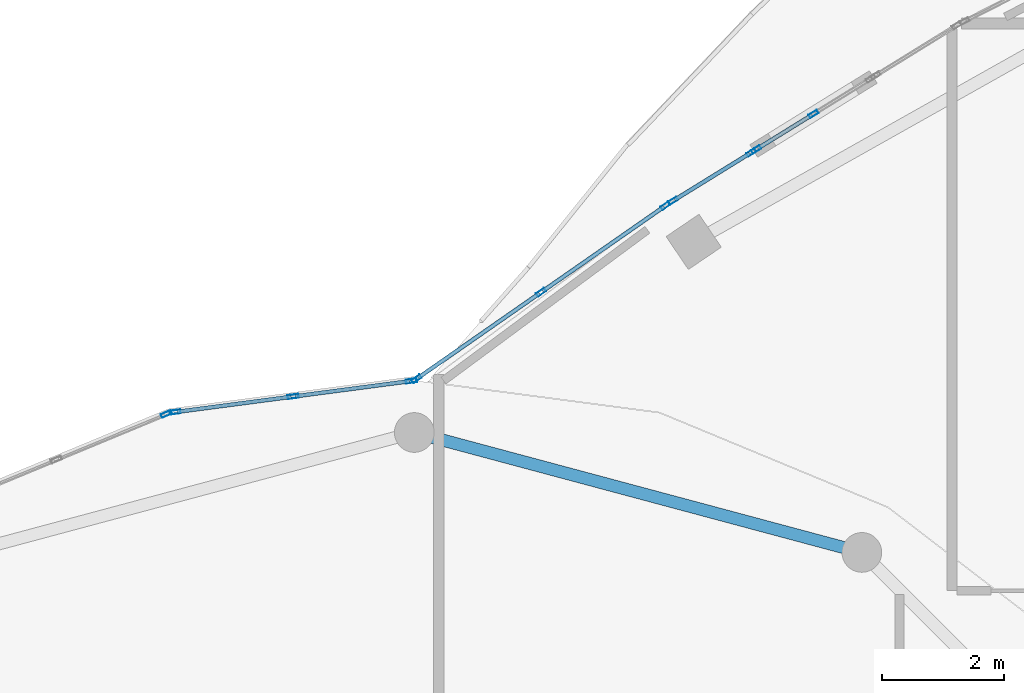
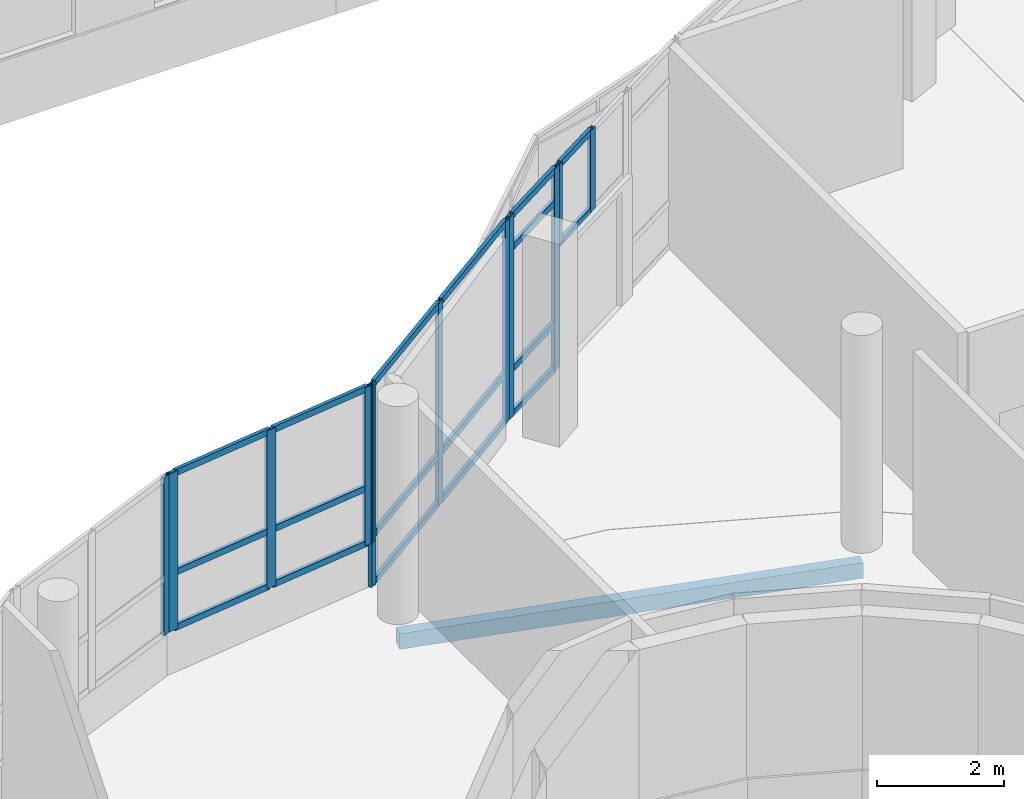
# One storey, part 63 of 184: 29 members, 1 beam, 5 elements without a shape of their own.
"""IFC4 building model written with IfcOpenShell, lengths in metres."""

from ifc_helpers import new_model, si_unit, direction, frame, origin, origin_2d, place, context, subcontext, project, spatial, hollow_rectangle, extrude, material, material_profile, profile_set, type_object, element, aggregate, save


model = new_model("IFC4")

# Units and contexts
model_context = context("Model", 3, precision=1e-05, world=origin(), true_north=direction((0.0, 1.0)))
body_context = subcontext(model_context, "Body", "Model", "MODEL_VIEW")
ifc_project = project(units=[si_unit("LENGTHUNIT", "METRE"), si_unit("AREAUNIT", "SQUARE_METRE"), si_unit("VOLUMEUNIT", "CUBIC_METRE"), si_unit("PLANEANGLEUNIT", "RADIAN"), si_unit("MASSUNIT", "GRAM", prefix="KILO")], contexts=[model_context])

# Site, building, storey
site_placement = place(None, origin())
site = spatial("IfcSite", under=ifc_project, at=site_placement, CompositionType="ELEMENT")
building_placement = place(site_placement, origin())
building = spatial("IfcBuilding", under=site, at=building_placement, Name="Selatvlak General Hospital", CompositionType="ELEMENT")
storey_placement = place(building_placement, frame((0.0, 0.0, 15.0)))
storey = spatial("IfcBuildingStorey", under=building, at=storey_placement, Name="L03", CompositionType="ELEMENT", Elevation=15.0)

# Beam
ifc_material_1 = material(Name="Steel S355", Category="steel")
ifc_material_profile_1 = material_profile(ifc_material_1, hollow_rectangle(XDim=0.199951171875, YDim=0.300048828125, WallThickness=0.011962890625, at=origin_2d()), Name="RHS 300x200x12")
ifc_profile_set_1 = profile_set([ifc_material_profile_1], Name="Steel S355")
beam_type = type_object("IfcBeamType", Name="BM-SP3", PredefinedType="SPANDREL", material=ifc_profile_set_1)
beam_placement = place(storey_placement, frame((105.324951171875, 66.68701171875, -0.489990234375), z_axis=(-0.965920028052, 0.25884068345, 0.0), x_axis=(-0.25884068345, -0.965920028052, 0.0)))
element("IfcBeam", 1, at=beam_placement, inside=storey, type_object=beam_type, Name="Beam BMR-L03-1453", PredefinedType="SPANDREL", context=body_context, shape_type="SweptSolid", body=[
    extrude(hollow_rectangle(XDim=0.199951171875, YDim=0.300048828125, WallThickness=0.011962890625, at=origin_2d()), origin(), (0.0, 0.0, 1.0), 7.58349609375),
])

# Curtain wall, members
ifc_material_2 = material(Name="Solar-control Low-E double glazing", Category="glass")
curtain_wall_type_1 = type_object("IfcCurtainWallType", Name="CW-CW-01", PredefinedType="USERDEFINED", material=ifc_material_2)
curtain_wall_1_placement = place(storey_placement, origin())
curtain_wall_1 = element("IfcCurtainWall", 2, at=curtain_wall_1_placement, inside=storey, type_object=curtain_wall_type_1, Name="Glazed facade curtain wall CW-L03-0469", ObjectType="UNITISED CURTAIN WALL", PredefinedType="USERDEFINED")
ifc_material_3 = material(Name="Dark anodised aluminium mullion", Category="aluminium")
ifc_material_profile_2 = material_profile(ifc_material_3, hollow_rectangle(XDim=0.06494140625, YDim=0.159912109375, WallThickness=0.00390625, at=origin_2d()), Name="AL-MUL 65x160x4")
ifc_profile_set_2 = profile_set([ifc_material_profile_2], Name="Dark anodised aluminium mullion")
member_type_1 = type_object("IfcMemberType", Name="CWM-01", PredefinedType="MULLION", material=ifc_profile_set_2)
member_1_placement = place(storey_placement, frame((98.03759765625, 69.527587890625, 0.0), z_axis=(0.0, 0.0, 1.0), x_axis=(-0.571111097841, 0.820872775723, 0.0)))
member_1 = element("IfcMember", 3, at=member_1_placement, type_object=member_type_1, Name="CW-01 mullion 1", PredefinedType="MULLION", context=body_context, shape_type="SweptSolid", body=[
    extrude(hollow_rectangle(XDim=0.06494140625, YDim=0.159912109375, WallThickness=0.00390625, at=origin_2d()), origin(), (0.0, 0.0, 1.0), 3.89501953125),
])
member_2_placement = place(storey_placement, frame((100.074951171875, 70.945068359375, 0.0), z_axis=(0.0, 0.0, 1.0), x_axis=(-0.571111097841, 0.820872775723, 0.0)))
member_2 = element("IfcMember", 4, at=member_2_placement, type_object=member_type_1, Name="CW-01 mullion 2", PredefinedType="MULLION", context=body_context, shape_type="SweptSolid", body=[
    extrude(hollow_rectangle(XDim=0.06494140625, YDim=0.159912109375, WallThickness=0.00390625, at=origin_2d()), origin(), (0.0, 0.0, 1.0), 3.89501953125),
])
member_3_placement = place(storey_placement, frame((102.1123046875, 72.362548828125, 0.0), z_axis=(0.0, 0.0, 1.0), x_axis=(-0.571111097841, 0.820872775723, 0.0)))
member_3 = element("IfcMember", 5, at=member_3_placement, type_object=member_type_1, Name="CW-01 mullion 3", PredefinedType="MULLION", context=body_context, shape_type="SweptSolid", body=[
    extrude(hollow_rectangle(XDim=0.06494140625, YDim=0.159912109375, WallThickness=0.00390625, at=origin_2d()), origin(), (0.0, 0.0, 1.0), 3.89501953125),
])

curtain_wall_type_2 = type_object("IfcCurtainWallType", Name="CW-CW-02", PredefinedType="USERDEFINED", material=ifc_material_2)
curtain_wall_2_placement = place(storey_placement, origin())
curtain_wall_2 = element("IfcCurtainWall", 6, at=curtain_wall_2_placement, inside=storey, type_object=curtain_wall_type_2, Name="Glazed facade curtain wall CW-L03-0470", ObjectType="UNITISED CURTAIN WALL", PredefinedType="USERDEFINED")
member_4_placement = place(storey_placement, frame((103.5966796875, 73.283203125, 2.320068359375), z_axis=(0.0, 0.0, 1.0), x_axis=(-0.526111885649, 0.850415359562, 0.0)))
member_4 = element("IfcMember", 7, at=member_4_placement, type_object=member_type_1, Name="CW-02 mullion 1", PredefinedType="MULLION", context=body_context, shape_type="SweptSolid", body=[
    extrude(hollow_rectangle(XDim=0.06494140625, YDim=0.159912109375, WallThickness=0.00390625, at=origin_2d()), origin(), (0.0, 0.0, 1.0), 1.574951171875),
])
member_5_placement = place(storey_placement, frame((104.533935546875, 73.863037109375, 2.320068359375), z_axis=(0.0, 0.0, 1.0), x_axis=(-0.526111885649, 0.850415359562, 0.0)))
member_5 = element("IfcMember", 8, at=member_5_placement, type_object=member_type_1, Name="CW-02 mullion 2", PredefinedType="MULLION", context=body_context, shape_type="SweptSolid", body=[
    extrude(hollow_rectangle(XDim=0.06494140625, YDim=0.159912109375, WallThickness=0.00390625, at=origin_2d()), origin(), (0.0, 0.0, 1.0), 1.574951171875),
])

curtain_wall_3_placement = place(storey_placement, origin())
curtain_wall_3 = element("IfcCurtainWall", 9, at=curtain_wall_3_placement, inside=storey, type_object=curtain_wall_type_1, Name="Glazed facade curtain wall CW-L03-0471", ObjectType="UNITISED CURTAIN WALL", PredefinedType="USERDEFINED")
member_6_placement = place(storey_placement, frame((102.234619140625, 72.441162109375, 0.0), z_axis=(0.0, 0.0, 1.0), x_axis=(-0.525872346387, 0.850563504569, 0.0)))
member_6 = element("IfcMember", 10, at=member_6_placement, type_object=member_type_1, Name="CW-01 mullion 1", PredefinedType="MULLION", context=body_context, shape_type="SweptSolid", body=[
    extrude(hollow_rectangle(XDim=0.06494140625, YDim=0.159912109375, WallThickness=0.00390625, at=origin_2d()), origin(), (0.0, 0.0, 1.0), 3.89501953125),
])
member_7_placement = place(storey_placement, frame((103.515380859375, 73.23291015625, 0.0), z_axis=(0.0, 0.0, 1.0), x_axis=(-0.525872346387, 0.850563504569, 0.0)))
member_7 = element("IfcMember", 11, at=member_7_placement, type_object=member_type_1, Name="CW-01 mullion 2", PredefinedType="MULLION", context=body_context, shape_type="SweptSolid", body=[
    extrude(hollow_rectangle(XDim=0.06494140625, YDim=0.159912109375, WallThickness=0.00390625, at=origin_2d()), origin(), (0.0, 0.0, 1.0), 3.89501953125),
])

# Curtain wall, member
curtain_wall_type_3 = type_object("IfcCurtainWallType", Name="CW-CW-04", PredefinedType="USERDEFINED", material=ifc_material_2)
curtain_wall_4_placement = place(storey_placement, origin())
curtain_wall_4 = element("IfcCurtainWall", 12, at=curtain_wall_4_placement, inside=storey, type_object=curtain_wall_type_3, Name="Glazed facade curtain wall CW-L03-0467", ObjectType="STICK GLAZING WALL", PredefinedType="USERDEFINED")
ifc_material_profile_3 = material_profile(ifc_material_3, hollow_rectangle(XDim=0.06494140625, YDim=0.179931640625, WallThickness=0.00439453125, at=origin_2d()), Name="AL-MUL 65x180x4.5")
ifc_profile_set_3 = profile_set([ifc_material_profile_3], Name="Dark anodised aluminium mullion")
member_type_2 = type_object("IfcMemberType", Name="CWM-02", PredefinedType="MULLION", material=ifc_profile_set_3)
member_8_placement = place(storey_placement, frame((93.94287109375, 68.95263671875, 0.85009765625), z_axis=(0.0, 0.0, 1.0), x_axis=(-0.382752625243, 0.923850868847, 0.0)))
member_8 = element("IfcMember", 13, at=member_8_placement, type_object=member_type_2, Name="CW-04 mullion 3", PredefinedType="MULLION", context=body_context, shape_type="SweptSolid", body=[
    extrude(hollow_rectangle(XDim=0.06494140625, YDim=0.179931640625, WallThickness=0.00439453125, at=origin_2d()), origin(), (0.0, 0.0, 1.0), 3.044921875),
])
aggregate(curtain_wall_4, [member_8])

# Curtain wall, members
curtain_wall_type_4 = type_object("IfcCurtainWallType", Name="CW-CW-05", PredefinedType="USERDEFINED", material=ifc_material_2)
curtain_wall_5_placement = place(storey_placement, origin())
curtain_wall_5 = element("IfcCurtainWall", 14, at=curtain_wall_5_placement, inside=storey, type_object=curtain_wall_type_4, Name="Glazed facade curtain wall CW-L03-0468", ObjectType="STICK GLAZING WALL", PredefinedType="USERDEFINED")
member_9_placement = place(storey_placement, frame((94.084228515625, 68.984130859375, 0.85009765625), z_axis=(0.0, 0.0, 1.0), x_axis=(-0.130611050186, 0.991433685916, 0.0)))
member_9 = element("IfcMember", 15, at=member_9_placement, type_object=member_type_2, Name="CW-05 mullion 1", PredefinedType="MULLION", context=body_context, shape_type="SweptSolid", body=[
    extrude(hollow_rectangle(XDim=0.06494140625, YDim=0.179931640625, WallThickness=0.00439453125, at=origin_2d()), origin(), (0.0, 0.0, 1.0), 3.044921875),
])
member_10_placement = place(storey_placement, frame((96.01806640625, 69.239013671875, 0.85009765625), z_axis=(0.0, 0.0, 1.0), x_axis=(-0.130611050186, 0.991433685916, 0.0)))
member_10 = element("IfcMember", 16, at=member_10_placement, type_object=member_type_2, Name="CW-05 mullion 2", PredefinedType="MULLION", context=body_context, shape_type="SweptSolid", body=[
    extrude(hollow_rectangle(XDim=0.06494140625, YDim=0.179931640625, WallThickness=0.00439453125, at=origin_2d()), origin(), (0.0, 0.0, 1.0), 3.044921875),
])
member_11_placement = place(storey_placement, frame((97.95166015625, 69.49365234375, 0.85009765625), z_axis=(0.0, 0.0, 1.0), x_axis=(-0.130611050186, 0.991433685916, 0.0)))
member_11 = element("IfcMember", 17, at=member_11_placement, type_object=member_type_2, Name="CW-05 mullion 3", PredefinedType="MULLION", context=body_context, shape_type="SweptSolid", body=[
    extrude(hollow_rectangle(XDim=0.06494140625, YDim=0.179931640625, WallThickness=0.00439453125, at=origin_2d()), origin(), (0.0, 0.0, 1.0), 3.044921875),
])
ifc_material_profile_4 = material_profile(ifc_material_3, hollow_rectangle(XDim=0.06494140625, YDim=0.1201171875, WallThickness=0.00390625, at=origin_2d()), Name="AL-TRN 65x120x4")
ifc_profile_set_4 = profile_set([ifc_material_profile_4], Name="Dark anodised aluminium mullion")
member_type_3 = type_object("IfcMemberType", Name="CWT-01", PredefinedType="USERDEFINED", material=ifc_profile_set_4)
member_12_placement = place(storey_placement, frame((94.116455078125, 68.988525390625, 0.882568359375), z_axis=(0.991429156787, 0.130645424996, 0.0), x_axis=(-0.130645424996, 0.991429156787, 0.0)))
member_12 = element("IfcMember", 18, at=member_12_placement, type_object=member_type_3, Name="CW-05 transom 1.1", ObjectType="TRANSOM", PredefinedType="USERDEFINED", context=body_context, shape_type="SweptSolid", body=[
    extrude(hollow_rectangle(XDim=0.06494140625, YDim=0.1201171875, WallThickness=0.00390625, at=origin_2d()), origin(), (0.0, 0.0, 1.0), 1.885498046875),
])
member_13_placement = place(storey_placement, frame((94.116455078125, 68.988525390625, 1.947021484375), z_axis=(0.991429156787, 0.130645424996, 0.0), x_axis=(-0.130645424996, 0.991429156787, 0.0)))
member_13 = element("IfcMember", 19, at=member_13_placement, type_object=member_type_3, Name="CW-05 transom 1.2", ObjectType="TRANSOM", PredefinedType="USERDEFINED", context=body_context, shape_type="SweptSolid", body=[
    extrude(hollow_rectangle(XDim=0.06494140625, YDim=0.1201171875, WallThickness=0.00390625, at=origin_2d()), origin(), (0.0, 0.0, 1.0), 1.885498046875),
])
member_14_placement = place(storey_placement, frame((94.116455078125, 68.988525390625, 3.862548828125), z_axis=(0.991429156787, 0.130645424996, 0.0), x_axis=(-0.130645424996, 0.991429156787, 0.0)))
member_14 = element("IfcMember", 20, at=member_14_placement, type_object=member_type_3, Name="CW-05 transom 1.3", ObjectType="TRANSOM", PredefinedType="USERDEFINED", context=body_context, shape_type="SweptSolid", body=[
    extrude(hollow_rectangle(XDim=0.06494140625, YDim=0.1201171875, WallThickness=0.00390625, at=origin_2d()), origin(), (0.0, 0.0, 1.0), 1.885498046875),
])
member_15_placement = place(storey_placement, frame((96.05029296875, 69.2431640625, 0.882568359375), z_axis=(0.991429156787, 0.130645424996, 0.0), x_axis=(-0.130645424996, 0.991429156787, 0.0)))
member_15 = element("IfcMember", 21, at=member_15_placement, type_object=member_type_3, Name="CW-05 transom 2.1", ObjectType="TRANSOM", PredefinedType="USERDEFINED", context=body_context, shape_type="SweptSolid", body=[
    extrude(hollow_rectangle(XDim=0.06494140625, YDim=0.1201171875, WallThickness=0.00390625, at=origin_2d()), origin(), (0.0, 0.0, 1.0), 1.885498046875),
])
member_16_placement = place(storey_placement, frame((96.05029296875, 69.2431640625, 1.947021484375), z_axis=(0.991429156787, 0.130645424996, 0.0), x_axis=(-0.130645424996, 0.991429156787, 0.0)))
member_16 = element("IfcMember", 22, at=member_16_placement, type_object=member_type_3, Name="CW-05 transom 2.2", ObjectType="TRANSOM", PredefinedType="USERDEFINED", context=body_context, shape_type="SweptSolid", body=[
    extrude(hollow_rectangle(XDim=0.06494140625, YDim=0.1201171875, WallThickness=0.00390625, at=origin_2d()), origin(), (0.0, 0.0, 1.0), 1.885498046875),
])
member_17_placement = place(storey_placement, frame((96.05029296875, 69.2431640625, 3.862548828125), z_axis=(0.991429156787, 0.130645424996, 0.0), x_axis=(-0.130645424996, 0.991429156787, 0.0)))
member_17 = element("IfcMember", 23, at=member_17_placement, type_object=member_type_3, Name="CW-05 transom 2.3", ObjectType="TRANSOM", PredefinedType="USERDEFINED", context=body_context, shape_type="SweptSolid", body=[
    extrude(hollow_rectangle(XDim=0.06494140625, YDim=0.1201171875, WallThickness=0.00390625, at=origin_2d()), origin(), (0.0, 0.0, 1.0), 1.885498046875),
])
aggregate(curtain_wall_5, [member_9, member_10, member_11, member_12, member_13, member_14, member_15, member_16, member_17])

# Member
member_18_placement = place(storey_placement, frame((98.064453125, 69.546142578125, 0.032470703125), z_axis=(0.820851666417, 0.571141437598, 0.0), x_axis=(-0.571141437598, 0.820851666417, 0.0)))
member_18 = element("IfcMember", 24, at=member_18_placement, type_object=member_type_3, Name="CW-01 transom 1.1", ObjectType="TRANSOM", PredefinedType="USERDEFINED", context=body_context, shape_type="SweptSolid", body=[
    extrude(hollow_rectangle(XDim=0.06494140625, YDim=0.1201171875, WallThickness=0.00390625, at=origin_2d()), origin(), (0.0, 0.0, 1.0), 2.416748046875),
])

member_19_placement = place(storey_placement, frame((98.064453125, 69.546142578125, 0.949951171875), z_axis=(0.820851666417, 0.571141437598, 0.0), x_axis=(-0.571141437598, 0.820851666417, 0.0)))
member_19 = element("IfcMember", 25, at=member_19_placement, type_object=member_type_3, Name="CW-01 transom 1.2", ObjectType="TRANSOM", PredefinedType="USERDEFINED", context=body_context, shape_type="SweptSolid", body=[
    extrude(hollow_rectangle(XDim=0.06494140625, YDim=0.1201171875, WallThickness=0.00390625, at=origin_2d()), origin(), (0.0, 0.0, 1.0), 2.416748046875),
])

member_20_placement = place(storey_placement, frame((98.064453125, 69.546142578125, 3.862548828125), z_axis=(0.820851666417, 0.571141437598, 0.0), x_axis=(-0.571141437598, 0.820851666417, 0.0)))
member_20 = element("IfcMember", 26, at=member_20_placement, type_object=member_type_3, Name="CW-01 transom 1.3", ObjectType="TRANSOM", PredefinedType="USERDEFINED", context=body_context, shape_type="SweptSolid", body=[
    extrude(hollow_rectangle(XDim=0.06494140625, YDim=0.1201171875, WallThickness=0.00390625, at=origin_2d()), origin(), (0.0, 0.0, 1.0), 2.416748046875),
])

member_21_placement = place(storey_placement, frame((100.1015625, 70.963623046875, 0.032470703125), z_axis=(0.82088461382, 0.571094082261, 0.0), x_axis=(-0.571094082261, 0.82088461382, 0.0)))
member_21 = element("IfcMember", 27, at=member_21_placement, type_object=member_type_3, Name="CW-01 transom 2.1", ObjectType="TRANSOM", PredefinedType="USERDEFINED", context=body_context, shape_type="SweptSolid", body=[
    extrude(hollow_rectangle(XDim=0.06494140625, YDim=0.1201171875, WallThickness=0.00390625, at=origin_2d()), origin(), (0.0, 0.0, 1.0), 2.4169921875),
])

member_22_placement = place(storey_placement, frame((100.1015625, 70.963623046875, 0.949951171875), z_axis=(0.82088461382, 0.571094082261, 0.0), x_axis=(-0.571094082261, 0.82088461382, 0.0)))
member_22 = element("IfcMember", 28, at=member_22_placement, type_object=member_type_3, Name="CW-01 transom 2.2", ObjectType="TRANSOM", PredefinedType="USERDEFINED", context=body_context, shape_type="SweptSolid", body=[
    extrude(hollow_rectangle(XDim=0.06494140625, YDim=0.1201171875, WallThickness=0.00390625, at=origin_2d()), origin(), (0.0, 0.0, 1.0), 2.4169921875),
])

member_23_placement = place(storey_placement, frame((100.1015625, 70.963623046875, 3.862548828125), z_axis=(0.82088461382, 0.571094082261, 0.0), x_axis=(-0.571094082261, 0.82088461382, 0.0)))
member_23 = element("IfcMember", 29, at=member_23_placement, type_object=member_type_3, Name="CW-01 transom 2.3", ObjectType="TRANSOM", PredefinedType="USERDEFINED", context=body_context, shape_type="SweptSolid", body=[
    extrude(hollow_rectangle(XDim=0.06494140625, YDim=0.1201171875, WallThickness=0.00390625, at=origin_2d()), origin(), (0.0, 0.0, 1.0), 2.4169921875),
])

aggregate(curtain_wall_1, [member_1, member_2, member_3, member_18, member_19, member_20, member_21, member_22, member_23])

member_24_placement = place(storey_placement, frame((103.624267578125, 73.30029296875, 2.3525390625), z_axis=(0.850435657631, 0.526079074123, 0.0), x_axis=(-0.526079074123, 0.850435657631, 0.0)))
member_24 = element("IfcMember", 30, at=member_24_placement, type_object=member_type_3, Name="CW-02 transom 1.1", ObjectType="TRANSOM", PredefinedType="USERDEFINED", context=body_context, shape_type="SweptSolid", body=[
    extrude(hollow_rectangle(XDim=0.06494140625, YDim=0.1201171875, WallThickness=0.00390625, at=origin_2d()), origin(), (0.0, 0.0, 1.0), 1.037109375),
])

member_25_placement = place(storey_placement, frame((103.624267578125, 73.30029296875, 3.862548828125), z_axis=(0.850435657631, 0.526079074123, 0.0), x_axis=(-0.526079074123, 0.850435657631, 0.0)))
member_25 = element("IfcMember", 31, at=member_25_placement, type_object=member_type_3, Name="CW-02 transom 1.2", ObjectType="TRANSOM", PredefinedType="USERDEFINED", context=body_context, shape_type="SweptSolid", body=[
    extrude(hollow_rectangle(XDim=0.06494140625, YDim=0.1201171875, WallThickness=0.00390625, at=origin_2d()), origin(), (0.0, 0.0, 1.0), 1.037109375),
])

aggregate(curtain_wall_2, [member_4, member_5, member_24, member_25])

member_26_placement = place(storey_placement, frame((102.26220703125, 72.458251953125, 0.032470703125), z_axis=(0.850615237888, 0.525788661985, 0.0), x_axis=(-0.525788661985, 0.850615237888, 0.0)))
member_26 = element("IfcMember", 32, at=member_26_placement, type_object=member_type_3, Name="CW-01 transom 1.1", ObjectType="TRANSOM", PredefinedType="USERDEFINED", context=body_context, shape_type="SweptSolid", body=[
    extrude(hollow_rectangle(XDim=0.06494140625, YDim=0.1201171875, WallThickness=0.00390625, at=origin_2d()), origin(), (0.0, 0.0, 1.0), 1.44091796875),
])

member_27_placement = place(storey_placement, frame((102.26220703125, 72.458251953125, 0.89990234375), z_axis=(0.850615237888, 0.525788661985, 0.0), x_axis=(-0.525788661985, 0.850615237888, 0.0)))
member_27 = element("IfcMember", 33, at=member_27_placement, type_object=member_type_3, Name="CW-01 transom 1.2", ObjectType="TRANSOM", PredefinedType="USERDEFINED", context=body_context, shape_type="SweptSolid", body=[
    extrude(hollow_rectangle(XDim=0.06494140625, YDim=0.1201171875, WallThickness=0.00390625, at=origin_2d()), origin(), (0.0, 0.0, 1.0), 1.44091796875),
])

member_28_placement = place(storey_placement, frame((102.26220703125, 72.458251953125, 3.2451171875), z_axis=(0.850615237888, 0.525788661985, 0.0), x_axis=(-0.525788661985, 0.850615237888, 0.0)))
member_28 = element("IfcMember", 34, at=member_28_placement, type_object=member_type_3, Name="CW-01 transom 1.3", ObjectType="TRANSOM", PredefinedType="USERDEFINED", context=body_context, shape_type="SweptSolid", body=[
    extrude(hollow_rectangle(XDim=0.06494140625, YDim=0.1201171875, WallThickness=0.00390625, at=origin_2d()), origin(), (0.0, 0.0, 1.0), 1.44091796875),
])

member_29_placement = place(storey_placement, frame((102.26220703125, 72.458251953125, 3.862548828125), z_axis=(0.850615237888, 0.525788661985, 0.0), x_axis=(-0.525788661985, 0.850615237888, 0.0)))
member_29 = element("IfcMember", 35, at=member_29_placement, type_object=member_type_3, Name="CW-01 transom 1.4", ObjectType="TRANSOM", PredefinedType="USERDEFINED", context=body_context, shape_type="SweptSolid", body=[
    extrude(hollow_rectangle(XDim=0.06494140625, YDim=0.1201171875, WallThickness=0.00390625, at=origin_2d()), origin(), (0.0, 0.0, 1.0), 1.44091796875),
])

aggregate(curtain_wall_3, [member_6, member_7, member_26, member_27, member_28, member_29])

save(model, "model.ifc")
